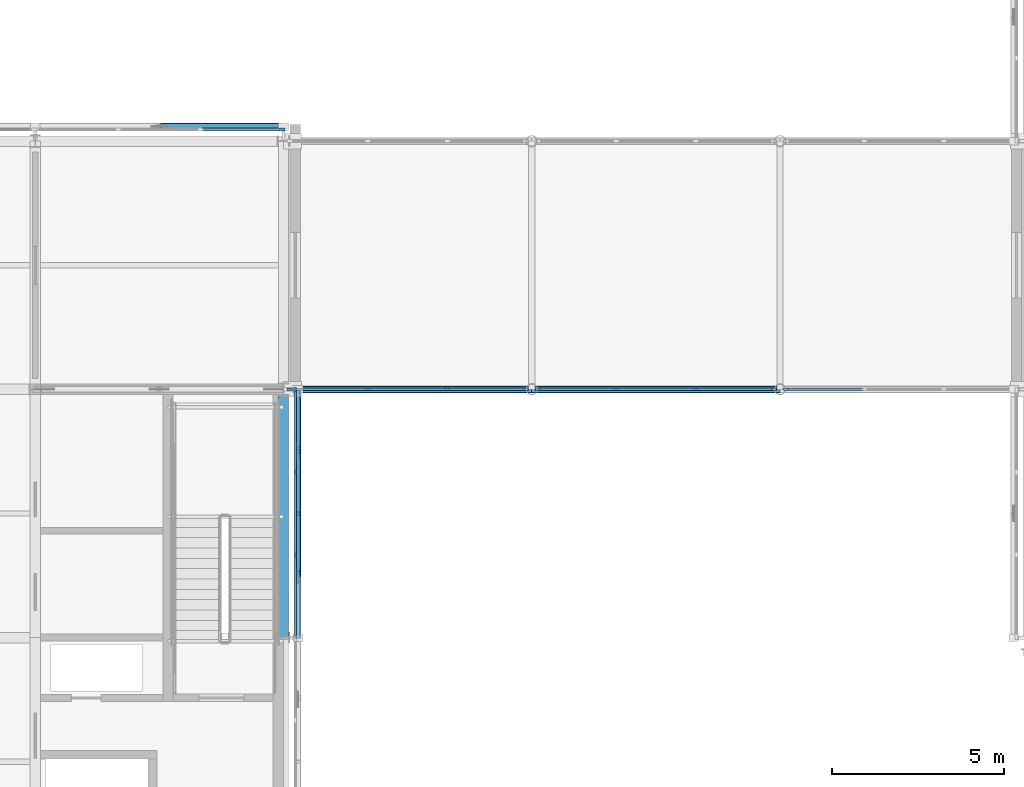
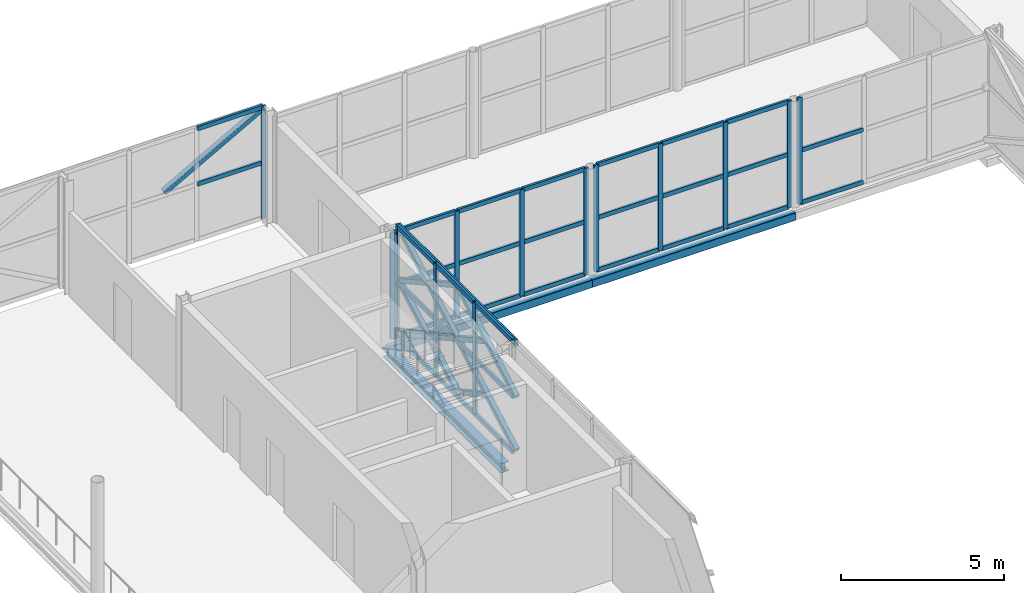
# One storey, part 37 of 126: 56 members, 3 beams, 5 elements without a shape of their own.
"""IFC4 building model written with IfcOpenShell, lengths in metres."""

import ifcopenshell
import ifcopenshell.guid

model = None  # the IFC model being written
_history = None  # IfcOwnerHistory: only IFC2X3 demands one
_inside = {}  # id of a spatial element -> (the spatial element, [elements in it])
_under = {}  # id of a project, library or spatial element -> (it, [spatial elements below it])
_declared = {}  # id of a project -> (the project, [libraries it declares])
_typed = {}  # id of a type object -> (the type object, [elements of that type])
_made_of = {}  # id of a material, layer set ... -> (it, [elements and type objects made of it])


def new_model(schema):
    """Start an empty IFC model of exactly this schema.

    Asked for "IFC4X3", IfcOpenShell would pick the latest addendum, in which some entities
    have other attributes; the version numbers below select the first issue.
    IFC2X3 requires an IfcOwnerHistory on every rooted entity: one is made here for all.
    """
    global model, _history
    if schema == "IFC4X3":
        model = ifcopenshell.file(schema_version=(4, 3, 0, 0))
    else:
        model = ifcopenshell.file(schema=schema)
    _inside.clear()
    _under.clear()
    _declared.clear()
    _typed.clear()
    _made_of.clear()
    _history = None
    if model.schema == "IFC2X3":
        org = make("IfcOrganization", Name="unknown")
        user = make(
            "IfcPersonAndOrganization",
            ThePerson=make("IfcPerson", FamilyName="unknown"),
            TheOrganization=org,
        )
        app = make(
            "IfcApplication",
            ApplicationDeveloper=org,
            Version="unknown",
            ApplicationFullName="unknown",
            ApplicationIdentifier="unknown",
        )
        _history = make(
            "IfcOwnerHistory",
            OwningUser=user,
            OwningApplication=app,
            ChangeAction="ADDED",
            CreationDate=0,
        )
    return model


def make(cls, **values):
    """One entity of the class cls with the attributes given. An attribute that is None is left unset."""
    return model.create_entity(
        cls, **{name: value for name, value in values.items() if value is not None}
    )


def rooted(cls, **values):
    """An entity with a GlobalId (a new one), such as an element, a storey or a relation."""
    return make(cls, GlobalId=ifcopenshell.guid.new(), OwnerHistory=_history, **values)


def si_unit(unit_type, name, prefix=None):
    """IfcSIUnit, for example si_unit("LENGTHUNIT", "METRE", prefix="MILLI")."""
    return make("IfcSIUnit", UnitType=unit_type, Prefix=prefix, Name=name)


def assignment(units):
    """IfcUnitAssignment: the units of a project."""
    return None if units is None else make("IfcUnitAssignment", Units=units)


def point(xyz):
    """IfcCartesianPoint."""
    return None if xyz is None else make("IfcCartesianPoint", Coordinates=xyz)


def direction(xyz):
    """IfcDirection."""
    return None if xyz is None else make("IfcDirection", DirectionRatios=xyz)


def frame(location, z_axis=None, x_axis=None):
    """IfcAxis2Placement3D, a coordinate frame: its origin and axes. An axis left out is left unset."""
    return make(
        "IfcAxis2Placement3D",
        Location=point(location),
        Axis=direction(z_axis),
        RefDirection=direction(x_axis),
    )


def frame_2d(location, x_axis=None):
    """IfcAxis2Placement2D, a coordinate frame in the plane: its origin and x axis."""
    return make(
        "IfcAxis2Placement2D", Location=point(location), RefDirection=direction(x_axis)
    )


def origin():
    """The frame at (0, 0, 0) with its axes left unset."""
    return frame((0.0, 0.0, 0.0))


def origin_2d():
    """The frame at (0, 0) in the plane with its x axis left unset."""
    return frame_2d((0.0, 0.0))


def place(relative_to, where):
    """IfcLocalPlacement: puts the frame where relative to a parent placement (None: the world)."""
    return make(
        "IfcLocalPlacement", PlacementRelTo=relative_to, RelativePlacement=where
    )


def context(
    kind, dimensions, precision=None, world=None, true_north=None, identifier=None
):
    """IfcGeometricRepresentationContext, for example the 3D "Model" context."""
    return make(
        "IfcGeometricRepresentationContext",
        ContextIdentifier=identifier,
        ContextType=kind,
        CoordinateSpaceDimension=dimensions,
        Precision=precision,
        WorldCoordinateSystem=world,
        TrueNorth=true_north,
    )


def subcontext(parent, identifier, kind, view, scale=None):
    """IfcGeometricRepresentationSubContext, for example "Body" below "Model"."""
    return make(
        "IfcGeometricRepresentationSubContext",
        ContextIdentifier=identifier,
        ContextType=kind,
        ParentContext=parent,
        TargetScale=scale,
        TargetView=view,
    )


def project(units=None, contexts=None):
    """IfcProject with its units and contexts."""
    return rooted(
        "IfcProject",
        Name="project",
        RepresentationContexts=contexts,
        UnitsInContext=assignment(units),
    )


def spatial(cls, under=None, at=None, **own):
    """A site, building, storey or space (cls), placed at a placement, below another one or the project."""
    s = rooted(cls, ObjectPlacement=at, **own)
    if under is not None:
        _under.setdefault(under.id(), (under, []))[1].append(s)
    return s


def profile(cls, at=None, kind="AREA", **sizes):
    """A parametric profile (cls). Its sizes go by their IFC names, for example OverallWidth=200.0."""
    return make(cls, ProfileType=kind, Position=at, **sizes)


def rectangle(**sizes):
    """IfcRectangleProfileDef."""
    return profile("IfcRectangleProfileDef", **sizes)


def hollow_rectangle(**sizes):
    """IfcRectangleHollowProfileDef."""
    return profile("IfcRectangleHollowProfileDef", **sizes)


def i_section(**sizes):
    """IfcIShapeProfileDef."""
    return profile("IfcIShapeProfileDef", **sizes)


def extrude(swept, where, along, depth):
    """IfcExtrudedAreaSolid: the profile swept, set in the frame where, extruded along a direction by depth."""
    return make(
        "IfcExtrudedAreaSolid",
        SweptArea=swept,
        Position=where,
        ExtrudedDirection=direction(along),
        Depth=depth,
    )


def shape(context_of_items, identifier, shape_type, items):
    """IfcShapeRepresentation: the items that make up one representation, for example the "Body"."""
    return make(
        "IfcShapeRepresentation",
        ContextOfItems=context_of_items,
        RepresentationIdentifier=identifier,
        RepresentationType=shape_type,
        Items=items,
    )


def material(Name=None, Category=None):
    """IfcMaterial."""
    return make("IfcMaterial", Name=Name, Category=Category)


def material_profile(
    of_material, cross_section, Name=None, Category=None, Priority=None
):
    """IfcMaterialProfile: a cross section and its material."""
    return make(
        "IfcMaterialProfile",
        Name=Name,
        Material=of_material,
        Profile=cross_section,
        Priority=Priority,
        Category=Category,
    )


def profile_set(profiles, Name=None, composite=None):
    """IfcMaterialProfileSet."""
    return make(
        "IfcMaterialProfileSet",
        Name=Name,
        MaterialProfiles=profiles,
        CompositeProfile=composite,
    )


def made_of(thing, what):
    """Note that an element or type object is made of a material, layer set ...; save() writes the relation."""
    if what is not None:
        _made_of.setdefault(what.id(), (what, []))[1].append(thing)
    return thing


def type_object(cls, material=None, **own):
    """A type object (cls), such as IfcWallType, which elements share."""
    return made_of(rooted(cls, **own), material)


def element(
    cls,
    number,
    at=None,
    inside=None,
    cuts=None,
    type_object=None,
    material=None,
    context=None,
    identifier="Body",
    shape_type=None,
    held_by="IfcProductDefinitionShape",
    body=None,
    shapes=None,
    **own,
):
    """One element of the class cls, such as IfcWall. Its Tag is "e" and its number.

    at: its placement. inside: the storey or other place that contains it. cuts: it is an
    opening in that element (IfcRelVoidsElement). A single representation is given by context,
    identifier, shape_type and body (its items); several are given by shapes. held_by: the class
    of the entity that holds the representations. save() writes the other relations.
    """
    e = rooted(cls, Tag="e%d" % number, ObjectPlacement=at, **own)
    if body is not None:
        shapes = [shape(context, identifier, shape_type, body)]
    if shapes is not None:
        e.Representation = make(held_by, Representations=shapes)
    if inside is not None:
        _inside.setdefault(inside.id(), (inside, []))[1].append(e)
    if cuts is not None:
        rooted(
            "IfcRelVoidsElement", RelatingBuildingElement=cuts, RelatedOpeningElement=e
        )
    if type_object is not None:
        _typed.setdefault(type_object.id(), (type_object, []))[1].append(e)
    return made_of(e, material)


def aggregate(whole, parts):
    """IfcRelAggregates: a whole, such as a stair, and the parts it consists of."""
    return rooted("IfcRelAggregates", RelatingObject=whole, RelatedObjects=parts)


def save(model, path):
    """Write the relations noted so far, then the file.

    IfcRelAggregates (storeys below a building ...), IfcRelContainedInSpatialStructure (elements
    in a storey), IfcRelDefinesByType, IfcRelAssociatesMaterial and IfcRelDeclares: one each for
    every whole, place, type object, material and project.
    """
    for whole, parts in _under.values():
        aggregate(whole, parts)
    for where, things in _inside.values():
        rooted(
            "IfcRelContainedInSpatialStructure",
            RelatedElements=things,
            RelatingStructure=where,
        )
    for kind, things in _typed.values():
        rooted("IfcRelDefinesByType", RelatedObjects=things, RelatingType=kind)
    for what, things in _made_of.values():
        rooted("IfcRelAssociatesMaterial", RelatedObjects=things, RelatingMaterial=what)
    for by, libraries in _declared.values():
        rooted("IfcRelDeclares", RelatingContext=by, RelatedDefinitions=libraries)
    model.write(path)


model = new_model("IFC4")

# Units and contexts
model_context = context("Model", 3, precision=1e-05, world=origin(), true_north=direction((0.0, 1.0)))
body_context = subcontext(model_context, "Body", "Model", "MODEL_VIEW")
ifc_project = project(units=[si_unit("LENGTHUNIT", "METRE"), si_unit("AREAUNIT", "SQUARE_METRE"), si_unit("VOLUMEUNIT", "CUBIC_METRE"), si_unit("PLANEANGLEUNIT", "RADIAN"), si_unit("MASSUNIT", "GRAM", prefix="KILO")], contexts=[model_context])

# Site, building, storey
site_placement = place(None, origin())
site = spatial("IfcSite", under=ifc_project, at=site_placement, CompositionType="ELEMENT")
building_placement = place(site_placement, origin())
building = spatial("IfcBuilding", under=site, at=building_placement, Name="Zlatovets Crest Museum", CompositionType="ELEMENT")
storey_placement = place(building_placement, frame((0.0, 0.0, 8.699951171875)))
storey = spatial("IfcBuildingStorey", under=building, at=storey_placement, Name="L02", CompositionType="ELEMENT", Elevation=8.699951171875)

# Beams
ifc_material_1 = material(Name="Structural steel S355J2", Category="steel")
ifc_material_profile_1 = material_profile(ifc_material_1, i_section(OverallWidth=0.300048828125, OverallDepth=0.35009765625, WebThickness=0.010009765625, FlangeThickness=0.017578125, FilletRadius=0.027099609375, at=origin_2d()), Name="HEA 360")
ifc_profile_set_1 = profile_set([ifc_material_profile_1], Name="Structural steel S355J2")
beam_type_1 = type_object("IfcBeamType", Name="Beam_B-03", PredefinedType="BEAM", material=ifc_profile_set_1)
beam_placement = place(storey_placement, frame((108.0, 14.39990234375, -0.39501953125), z_axis=(0.0, 1.0, 0.0), x_axis=(-1.0, 0.0, 0.0)))
element("IfcBeam", 1, at=beam_placement, inside=storey, type_object=beam_type_1, Name="V2 L02 Grid Beam B-03", PredefinedType="BEAM", context=body_context, shape_type="SweptSolid", body=[
    extrude(i_section(OverallWidth=0.300048828125, OverallDepth=0.35009765625, WebThickness=0.010009765625, FlangeThickness=0.017578125, FilletRadius=0.027099609375, at=origin_2d()), origin(), (0.0, 0.0, 1.0), 7.2001953125),
])
ifc_material_profile_2 = material_profile(ifc_material_1, hollow_rectangle(XDim=0.199951171875, YDim=0.300048828125, WallThickness=0.012451171875, InnerFilletRadius=0.012451171875, OuterFilletRadius=0.02490234375, at=origin_2d()), Name="RHS 200x300x12.5")
ifc_profile_set_2 = profile_set([ifc_material_profile_2], Name="Structural steel S355J2")
beam_type_2 = type_object("IfcBeamType", Name="Beam_BRG-01", PredefinedType="BEAM", material=ifc_profile_set_2)
for number, where, z_axis, x_axis, name in (
    (2, (108.0, 21.60009765625, -0.369873046875), (1.0, 0.0, 0.0), (0.0, 1.0, 0.0), "Southeast Archive Glazed Link Bridge L02 Stringer Beam"),
    (3, (115.199951171875, 21.60009765625, -0.369873046875), (1.0, 0.0, 0.0), (0.0, 1.0, 0.0), "Southeast Archive Glazed Link Bridge L02 Stringer Beam"),
):
    element("IfcBeam", number, at=place(storey_placement, frame(where, z_axis=z_axis, x_axis=x_axis)), inside=storey, type_object=beam_type_2, Name=name, PredefinedType="BEAM", context=body_context, shape_type="SweptSolid", body=[
        extrude(hollow_rectangle(XDim=0.199951171875, YDim=0.300048828125, WallThickness=0.012451171875, InnerFilletRadius=0.012451171875, OuterFilletRadius=0.02490234375, at=origin_2d()), origin(), (0.0, 0.0, 1.0), 7.199951171875),
    ])

# Curtain wall, members
ifc_material_2 = material(Name="Bronze-anodised aluminium and low-E triple glass", Category="aluminium")
curtain_wall_type_1 = type_object("IfcCurtainWallType", Name="CW_CW-V2-L02-M1", PredefinedType="NOTDEFINED", material=ifc_material_2)
curtain_wall_1_placement = place(storey_placement, origin())
curtain_wall_1 = element("IfcCurtainWall", 4, at=curtain_wall_1_placement, inside=storey, type_object=curtain_wall_type_1, Name="V2 L02 Expressed Core Glazed Facade", PredefinedType="NOTDEFINED")
ifc_material_3 = material(Name="Bronze-anodised aluminium EN AW-6060", Category="aluminium")
ifc_material_profile_3 = material_profile(ifc_material_3, rectangle(XDim=0.080078125, YDim=0.159912109375, at=origin_2d()), Name="ALU 80x160")
ifc_profile_set_3 = profile_set([ifc_material_profile_3], Name="Bronze-anodised aluminium EN AW-6060")
member_type_1 = type_object("IfcMemberType", Name="CWMull_M1", PredefinedType="MULLION", material=ifc_profile_set_3)
member_1_placement = place(storey_placement, frame((108.340087890625, 16.800048828125, 0.0), z_axis=(0.0, 0.0, 1.0), x_axis=(-1.0, 0.0, 0.0)))
member_1 = element("IfcMember", 5, at=member_1_placement, type_object=member_type_1, Name="CW-V2-L02-M1 mullion 2", PredefinedType="MULLION", context=body_context, shape_type="SweptSolid", body=[
    extrude(rectangle(XDim=0.080078125, YDim=0.159912109375, at=origin_2d()), origin(), (0.0, 0.0, 1.0), 4.199951171875),
])
member_2_placement = place(storey_placement, frame((108.340087890625, 19.199951171875, 0.0), z_axis=(0.0, 0.0, 1.0), x_axis=(-1.0, 0.0, 0.0)))
member_2 = element("IfcMember", 6, at=member_2_placement, type_object=member_type_1, Name="CW-V2-L02-M1 mullion 3", PredefinedType="MULLION", context=body_context, shape_type="SweptSolid", body=[
    extrude(rectangle(XDim=0.080078125, YDim=0.159912109375, at=origin_2d()), origin(), (0.0, 0.0, 1.0), 4.199951171875),
])
member_3_placement = place(storey_placement, frame((108.340087890625, 21.570068359375, 0.0), z_axis=(0.0, 0.0, 1.0), x_axis=(-1.0, 0.0, 0.0)))
member_3 = element("IfcMember", 7, at=member_3_placement, type_object=member_type_1, Name="CW-V2-L02-M1 mullion 4", PredefinedType="MULLION", context=body_context, shape_type="SweptSolid", body=[
    extrude(rectangle(XDim=0.080078125, YDim=0.159912109375, at=origin_2d()), origin(), (0.0, 0.0, 1.0), 4.199951171875),
])

# Curtain wall, member
curtain_wall_type_2 = type_object("IfcCurtainWallType", Name="CW_CW-V2-L02-M3", PredefinedType="NOTDEFINED", material=ifc_material_2)
curtain_wall_2_placement = place(storey_placement, origin())
curtain_wall_2 = element("IfcCurtainWall", 8, at=curtain_wall_2_placement, inside=storey, type_object=curtain_wall_type_2, Name="V2 L02 Secession Foyer Clear Curtain Wall", PredefinedType="NOTDEFINED")
member_4_placement = place(storey_placement, frame((107.969970703125, 29.139892578125, 0.0), z_axis=(0.0, 0.0, 1.0), x_axis=(0.0, -1.0, 0.0)))
member_4 = element("IfcMember", 9, at=member_4_placement, type_object=member_type_1, Name="CW-V2-L02-M3 mullion 1", PredefinedType="MULLION", context=body_context, shape_type="SweptSolid", body=[
    extrude(rectangle(XDim=0.080078125, YDim=0.159912109375, at=origin_2d()), origin(), (0.0, 0.0, 1.0), 4.199951171875),
])

# Curtain wall, members
curtain_wall_type_3 = type_object("IfcCurtainWallType", Name="CW_CW-BR4-L02-S69", PredefinedType="NOTDEFINED", material=ifc_material_2)
curtain_wall_3_placement = place(storey_placement, origin())
curtain_wall_3 = element("IfcCurtainWall", 10, at=curtain_wall_3_placement, inside=storey, type_object=curtain_wall_type_3, Name="Southeast Archive Glazed Link Bridge L02 Glazed Bridge Curtain Wall", PredefinedType="NOTDEFINED")
member_5_placement = place(storey_placement, frame((108.179931640625, 21.60009765625, 0.0), z_axis=(0.0, 0.0, 1.0), x_axis=(0.0, 1.0, 0.0)))
member_5 = element("IfcMember", 11, at=member_5_placement, type_object=member_type_1, Name="CW-BR4-L02-S69 mullion 1", PredefinedType="MULLION", context=body_context, shape_type="SweptSolid", body=[
    extrude(rectangle(XDim=0.080078125, YDim=0.159912109375, at=origin_2d()), origin(), (0.0, 0.0, 1.0), 3.97998046875),
])
member_6_placement = place(storey_placement, frame((110.449951171875, 21.60009765625, 0.0), z_axis=(0.0, 0.0, 1.0), x_axis=(0.0, 1.0, 0.0)))
member_6 = element("IfcMember", 12, at=member_6_placement, type_object=member_type_1, Name="CW-BR4-L02-S69 mullion 2", PredefinedType="MULLION", context=body_context, shape_type="SweptSolid", body=[
    extrude(rectangle(XDim=0.080078125, YDim=0.159912109375, at=origin_2d()), origin(), (0.0, 0.0, 1.0), 3.97998046875),
])
member_7_placement = place(storey_placement, frame((112.75, 21.60009765625, 0.0), z_axis=(0.0, 0.0, 1.0), x_axis=(0.0, 1.0, 0.0)))
member_7 = element("IfcMember", 13, at=member_7_placement, type_object=member_type_1, Name="CW-BR4-L02-S69 mullion 3", PredefinedType="MULLION", context=body_context, shape_type="SweptSolid", body=[
    extrude(rectangle(XDim=0.080078125, YDim=0.159912109375, at=origin_2d()), origin(), (0.0, 0.0, 1.0), 3.97998046875),
])
member_8_placement = place(storey_placement, frame((115.02001953125, 21.60009765625, 0.0), z_axis=(0.0, 0.0, 1.0), x_axis=(0.0, 1.0, 0.0)))
member_8 = element("IfcMember", 14, at=member_8_placement, type_object=member_type_1, Name="CW-BR4-L02-S69 mullion 4", PredefinedType="MULLION", context=body_context, shape_type="SweptSolid", body=[
    extrude(rectangle(XDim=0.080078125, YDim=0.159912109375, at=origin_2d()), origin(), (0.0, 0.0, 1.0), 3.97998046875),
])

curtain_wall_4_placement = place(storey_placement, origin())
curtain_wall_4 = element("IfcCurtainWall", 15, at=curtain_wall_4_placement, inside=storey, type_object=curtain_wall_type_3, Name="Southeast Archive Glazed Link Bridge L02 Glazed Bridge Curtain Wall", PredefinedType="NOTDEFINED")
member_9_placement = place(storey_placement, frame((115.3798828125, 21.60009765625, 0.0), z_axis=(0.0, 0.0, 1.0), x_axis=(0.0, 1.0, 0.0)))
member_9 = element("IfcMember", 16, at=member_9_placement, type_object=member_type_1, Name="CW-BR4-L02-S69 mullion 1", PredefinedType="MULLION", context=body_context, shape_type="SweptSolid", body=[
    extrude(rectangle(XDim=0.080078125, YDim=0.159912109375, at=origin_2d()), origin(), (0.0, 0.0, 1.0), 3.97998046875),
])
member_10_placement = place(storey_placement, frame((117.64990234375, 21.60009765625, 0.0), z_axis=(0.0, 0.0, 1.0), x_axis=(0.0, 1.0, 0.0)))
member_10 = element("IfcMember", 17, at=member_10_placement, type_object=member_type_1, Name="CW-BR4-L02-S69 mullion 2", PredefinedType="MULLION", context=body_context, shape_type="SweptSolid", body=[
    extrude(rectangle(XDim=0.080078125, YDim=0.159912109375, at=origin_2d()), origin(), (0.0, 0.0, 1.0), 3.97998046875),
])
member_11_placement = place(storey_placement, frame((119.949951171875, 21.60009765625, 0.0), z_axis=(0.0, 0.0, 1.0), x_axis=(0.0, 1.0, 0.0)))
member_11 = element("IfcMember", 18, at=member_11_placement, type_object=member_type_1, Name="CW-BR4-L02-S69 mullion 3", PredefinedType="MULLION", context=body_context, shape_type="SweptSolid", body=[
    extrude(rectangle(XDim=0.080078125, YDim=0.159912109375, at=origin_2d()), origin(), (0.0, 0.0, 1.0), 3.97998046875),
])
member_12_placement = place(storey_placement, frame((122.219970703125, 21.60009765625, 0.0), z_axis=(0.0, 0.0, 1.0), x_axis=(0.0, 1.0, 0.0)))
member_12 = element("IfcMember", 19, at=member_12_placement, type_object=member_type_1, Name="CW-BR4-L02-S69 mullion 4", PredefinedType="MULLION", context=body_context, shape_type="SweptSolid", body=[
    extrude(rectangle(XDim=0.080078125, YDim=0.159912109375, at=origin_2d()), origin(), (0.0, 0.0, 1.0), 3.97998046875),
])

# Curtain wall, member
curtain_wall_5_placement = place(storey_placement, origin())
curtain_wall_5 = element("IfcCurtainWall", 20, at=curtain_wall_5_placement, inside=storey, type_object=curtain_wall_type_3, Name="Southeast Archive Glazed Link Bridge L02 Glazed Bridge Curtain Wall", PredefinedType="NOTDEFINED")
member_13_placement = place(storey_placement, frame((122.580078125, 21.60009765625, 0.0), z_axis=(0.0, 0.0, 1.0), x_axis=(0.0, 1.0, 0.0)))
member_13 = element("IfcMember", 21, at=member_13_placement, type_object=member_type_1, Name="CW-BR4-L02-S69 mullion 1", PredefinedType="MULLION", context=body_context, shape_type="SweptSolid", body=[
    extrude(rectangle(XDim=0.080078125, YDim=0.159912109375, at=origin_2d()), origin(), (0.0, 0.0, 1.0), 3.97998046875),
])

# Member
ifc_material_profile_4 = material_profile(ifc_material_3, rectangle(XDim=0.080078125, YDim=0.159912109375, at=origin_2d()), Name="ALU 80x160")
ifc_profile_set_4 = profile_set([ifc_material_profile_4], Name="Bronze-anodised aluminium EN AW-6060")
member_type_2 = type_object("IfcMemberType", Name="CWTrans_T1", PredefinedType="USERDEFINED", material=ifc_profile_set_4)
member_14_placement = place(storey_placement, frame((108.340087890625, 14.4599609375, 0.030029296875), z_axis=(0.0, 1.0, 0.0), x_axis=(-1.0, 0.0, 0.0)))
member_14 = element("IfcMember", 22, at=member_14_placement, type_object=member_type_2, Name="CW-V2-L02-M1 transom 1.1", ObjectType="TRANSOM", PredefinedType="USERDEFINED", context=body_context, shape_type="SweptSolid", body=[
    extrude(rectangle(XDim=0.080078125, YDim=0.159912109375, at=origin_2d()), origin(), (0.0, 0.0, 1.0), 2.31005859375),
])

member_15_placement = place(storey_placement, frame((108.340087890625, 14.4599609375, 2.10009765625), z_axis=(0.0, 1.0, 0.0), x_axis=(-1.0, 0.0, 0.0)))
member_15 = element("IfcMember", 23, at=member_15_placement, type_object=member_type_2, Name="CW-V2-L02-M1 transom 1.2", ObjectType="TRANSOM", PredefinedType="USERDEFINED", context=body_context, shape_type="SweptSolid", body=[
    extrude(rectangle(XDim=0.080078125, YDim=0.159912109375, at=origin_2d()), origin(), (0.0, 0.0, 1.0), 2.31005859375),
])

member_16_placement = place(storey_placement, frame((108.340087890625, 14.4599609375, 4.170166015625), z_axis=(0.0, 1.0, 0.0), x_axis=(-1.0, 0.0, 0.0)))
member_16 = element("IfcMember", 24, at=member_16_placement, type_object=member_type_2, Name="CW-V2-L02-M1 transom 1.3", ObjectType="TRANSOM", PredefinedType="USERDEFINED", context=body_context, shape_type="SweptSolid", body=[
    extrude(rectangle(XDim=0.080078125, YDim=0.159912109375, at=origin_2d()), origin(), (0.0, 0.0, 1.0), 2.31005859375),
])

member_17_placement = place(storey_placement, frame((108.340087890625, 16.830078125, 0.030029296875), z_axis=(0.0, 1.0, 0.0), x_axis=(-1.0, 0.0, 0.0)))
member_17 = element("IfcMember", 25, at=member_17_placement, type_object=member_type_2, Name="CW-V2-L02-M1 transom 2.1", ObjectType="TRANSOM", PredefinedType="USERDEFINED", context=body_context, shape_type="SweptSolid", body=[
    extrude(rectangle(XDim=0.080078125, YDim=0.159912109375, at=origin_2d()), origin(), (0.0, 0.0, 1.0), 2.33984375),
])

member_18_placement = place(storey_placement, frame((108.340087890625, 16.830078125, 2.10009765625), z_axis=(0.0, 1.0, 0.0), x_axis=(-1.0, 0.0, 0.0)))
member_18 = element("IfcMember", 26, at=member_18_placement, type_object=member_type_2, Name="CW-V2-L02-M1 transom 2.2", ObjectType="TRANSOM", PredefinedType="USERDEFINED", context=body_context, shape_type="SweptSolid", body=[
    extrude(rectangle(XDim=0.080078125, YDim=0.159912109375, at=origin_2d()), origin(), (0.0, 0.0, 1.0), 2.33984375),
])

member_19_placement = place(storey_placement, frame((108.340087890625, 16.830078125, 4.170166015625), z_axis=(0.0, 1.0, 0.0), x_axis=(-1.0, 0.0, 0.0)))
member_19 = element("IfcMember", 27, at=member_19_placement, type_object=member_type_2, Name="CW-V2-L02-M1 transom 2.3", ObjectType="TRANSOM", PredefinedType="USERDEFINED", context=body_context, shape_type="SweptSolid", body=[
    extrude(rectangle(XDim=0.080078125, YDim=0.159912109375, at=origin_2d()), origin(), (0.0, 0.0, 1.0), 2.33984375),
])

member_20_placement = place(storey_placement, frame((108.340087890625, 19.22998046875, 0.030029296875), z_axis=(0.0, 1.0, 0.0), x_axis=(-1.0, 0.0, 0.0)))
member_20 = element("IfcMember", 28, at=member_20_placement, type_object=member_type_2, Name="CW-V2-L02-M1 transom 3.1", ObjectType="TRANSOM", PredefinedType="USERDEFINED", context=body_context, shape_type="SweptSolid", body=[
    extrude(rectangle(XDim=0.080078125, YDim=0.159912109375, at=origin_2d()), origin(), (0.0, 0.0, 1.0), 2.31005859375),
])

member_21_placement = place(storey_placement, frame((108.340087890625, 19.22998046875, 2.10009765625), z_axis=(0.0, 1.0, 0.0), x_axis=(-1.0, 0.0, 0.0)))
member_21 = element("IfcMember", 29, at=member_21_placement, type_object=member_type_2, Name="CW-V2-L02-M1 transom 3.2", ObjectType="TRANSOM", PredefinedType="USERDEFINED", context=body_context, shape_type="SweptSolid", body=[
    extrude(rectangle(XDim=0.080078125, YDim=0.159912109375, at=origin_2d()), origin(), (0.0, 0.0, 1.0), 2.31005859375),
])

member_22_placement = place(storey_placement, frame((108.340087890625, 19.22998046875, 4.170166015625), z_axis=(0.0, 1.0, 0.0), x_axis=(-1.0, 0.0, 0.0)))
member_22 = element("IfcMember", 30, at=member_22_placement, type_object=member_type_2, Name="CW-V2-L02-M1 transom 3.3", ObjectType="TRANSOM", PredefinedType="USERDEFINED", context=body_context, shape_type="SweptSolid", body=[
    extrude(rectangle(XDim=0.080078125, YDim=0.159912109375, at=origin_2d()), origin(), (0.0, 0.0, 1.0), 2.31005859375),
])

aggregate(curtain_wall_1, [member_1, member_2, member_3, member_14, member_15, member_16, member_17, member_18, member_19, member_20, member_21, member_22])

member_23_placement = place(storey_placement, frame((107.93994140625, 29.139892578125, 2.10009765625), z_axis=(-1.0, 0.0, 0.0), x_axis=(0.0, -1.0, 0.0)))
member_23 = element("IfcMember", 31, at=member_23_placement, type_object=member_type_2, Name="CW-V2-L02-M3 transom 1.2", ObjectType="TRANSOM", PredefinedType="USERDEFINED", context=body_context, shape_type="SweptSolid", body=[
    extrude(rectangle(XDim=0.080078125, YDim=0.159912109375, at=origin_2d()), origin(), (0.0, 0.0, 1.0), 2.31005859375),
])

member_24_placement = place(storey_placement, frame((107.93994140625, 29.139892578125, 4.170166015625), z_axis=(-1.0, 0.0, 0.0), x_axis=(0.0, -1.0, 0.0)))
member_24 = element("IfcMember", 32, at=member_24_placement, type_object=member_type_2, Name="CW-V2-L02-M3 transom 1.3", ObjectType="TRANSOM", PredefinedType="USERDEFINED", context=body_context, shape_type="SweptSolid", body=[
    extrude(rectangle(XDim=0.080078125, YDim=0.159912109375, at=origin_2d()), origin(), (0.0, 0.0, 1.0), 2.31005859375),
])

aggregate(curtain_wall_2, [member_4, member_23, member_24])

member_25_placement = place(storey_placement, frame((108.2099609375, 21.60009765625, 0.030029296875), z_axis=(1.0, 0.0, 0.0), x_axis=(0.0, 1.0, 0.0)))
member_25 = element("IfcMember", 33, at=member_25_placement, type_object=member_type_2, Name="CW-BR4-L02-S69 transom 1.1", ObjectType="TRANSOM", PredefinedType="USERDEFINED", context=body_context, shape_type="SweptSolid", body=[
    extrude(rectangle(XDim=0.080078125, YDim=0.159912109375, at=origin_2d()), origin(), (0.0, 0.0, 1.0), 2.2099609375),
])

member_26_placement = place(storey_placement, frame((108.2099609375, 21.60009765625, 1.989990234375), z_axis=(1.0, 0.0, 0.0), x_axis=(0.0, 1.0, 0.0)))
member_26 = element("IfcMember", 34, at=member_26_placement, type_object=member_type_2, Name="CW-BR4-L02-S69 transom 1.2", ObjectType="TRANSOM", PredefinedType="USERDEFINED", context=body_context, shape_type="SweptSolid", body=[
    extrude(rectangle(XDim=0.080078125, YDim=0.159912109375, at=origin_2d()), origin(), (0.0, 0.0, 1.0), 2.2099609375),
])

member_27_placement = place(storey_placement, frame((108.2099609375, 21.60009765625, 3.949951171875), z_axis=(1.0, 0.0, 0.0), x_axis=(0.0, 1.0, 0.0)))
member_27 = element("IfcMember", 35, at=member_27_placement, type_object=member_type_2, Name="CW-BR4-L02-S69 transom 1.3", ObjectType="TRANSOM", PredefinedType="USERDEFINED", context=body_context, shape_type="SweptSolid", body=[
    extrude(rectangle(XDim=0.080078125, YDim=0.159912109375, at=origin_2d()), origin(), (0.0, 0.0, 1.0), 2.2099609375),
])

member_28_placement = place(storey_placement, frame((110.47998046875, 21.60009765625, 0.030029296875), z_axis=(1.0, 0.0, 0.0), x_axis=(0.0, 1.0, 0.0)))
member_28 = element("IfcMember", 36, at=member_28_placement, type_object=member_type_2, Name="CW-BR4-L02-S69 transom 2.1", ObjectType="TRANSOM", PredefinedType="USERDEFINED", context=body_context, shape_type="SweptSolid", body=[
    extrude(rectangle(XDim=0.080078125, YDim=0.159912109375, at=origin_2d()), origin(), (0.0, 0.0, 1.0), 2.239990234375),
])

member_29_placement = place(storey_placement, frame((110.47998046875, 21.60009765625, 1.989990234375), z_axis=(1.0, 0.0, 0.0), x_axis=(0.0, 1.0, 0.0)))
member_29 = element("IfcMember", 37, at=member_29_placement, type_object=member_type_2, Name="CW-BR4-L02-S69 transom 2.2", ObjectType="TRANSOM", PredefinedType="USERDEFINED", context=body_context, shape_type="SweptSolid", body=[
    extrude(rectangle(XDim=0.080078125, YDim=0.159912109375, at=origin_2d()), origin(), (0.0, 0.0, 1.0), 2.239990234375),
])

member_30_placement = place(storey_placement, frame((110.47998046875, 21.60009765625, 3.949951171875), z_axis=(1.0, 0.0, 0.0), x_axis=(0.0, 1.0, 0.0)))
member_30 = element("IfcMember", 38, at=member_30_placement, type_object=member_type_2, Name="CW-BR4-L02-S69 transom 2.3", ObjectType="TRANSOM", PredefinedType="USERDEFINED", context=body_context, shape_type="SweptSolid", body=[
    extrude(rectangle(XDim=0.080078125, YDim=0.159912109375, at=origin_2d()), origin(), (0.0, 0.0, 1.0), 2.239990234375),
])

member_31_placement = place(storey_placement, frame((112.780029296875, 21.60009765625, 0.030029296875), z_axis=(1.0, 0.0, 0.0), x_axis=(0.0, 1.0, 0.0)))
member_31 = element("IfcMember", 39, at=member_31_placement, type_object=member_type_2, Name="CW-BR4-L02-S69 transom 3.1", ObjectType="TRANSOM", PredefinedType="USERDEFINED", context=body_context, shape_type="SweptSolid", body=[
    extrude(rectangle(XDim=0.080078125, YDim=0.159912109375, at=origin_2d()), origin(), (0.0, 0.0, 1.0), 2.2099609375),
])

member_32_placement = place(storey_placement, frame((112.780029296875, 21.60009765625, 1.989990234375), z_axis=(1.0, 0.0, 0.0), x_axis=(0.0, 1.0, 0.0)))
member_32 = element("IfcMember", 40, at=member_32_placement, type_object=member_type_2, Name="CW-BR4-L02-S69 transom 3.2", ObjectType="TRANSOM", PredefinedType="USERDEFINED", context=body_context, shape_type="SweptSolid", body=[
    extrude(rectangle(XDim=0.080078125, YDim=0.159912109375, at=origin_2d()), origin(), (0.0, 0.0, 1.0), 2.2099609375),
])

member_33_placement = place(storey_placement, frame((112.780029296875, 21.60009765625, 3.949951171875), z_axis=(1.0, 0.0, 0.0), x_axis=(0.0, 1.0, 0.0)))
member_33 = element("IfcMember", 41, at=member_33_placement, type_object=member_type_2, Name="CW-BR4-L02-S69 transom 3.3", ObjectType="TRANSOM", PredefinedType="USERDEFINED", context=body_context, shape_type="SweptSolid", body=[
    extrude(rectangle(XDim=0.080078125, YDim=0.159912109375, at=origin_2d()), origin(), (0.0, 0.0, 1.0), 2.2099609375),
])

aggregate(curtain_wall_3, [member_5, member_6, member_7, member_8, member_25, member_26, member_27, member_28, member_29, member_30, member_31, member_32, member_33])

member_34_placement = place(storey_placement, frame((115.409912109375, 21.60009765625, 0.030029296875), z_axis=(1.0, 0.0, 0.0), x_axis=(0.0, 1.0, 0.0)))
member_34 = element("IfcMember", 42, at=member_34_placement, type_object=member_type_2, Name="CW-BR4-L02-S69 transom 1.1", ObjectType="TRANSOM", PredefinedType="USERDEFINED", context=body_context, shape_type="SweptSolid", body=[
    extrude(rectangle(XDim=0.080078125, YDim=0.159912109375, at=origin_2d()), origin(), (0.0, 0.0, 1.0), 2.210205078125),
])

member_35_placement = place(storey_placement, frame((115.409912109375, 21.60009765625, 1.989990234375), z_axis=(1.0, 0.0, 0.0), x_axis=(0.0, 1.0, 0.0)))
member_35 = element("IfcMember", 43, at=member_35_placement, type_object=member_type_2, Name="CW-BR4-L02-S69 transom 1.2", ObjectType="TRANSOM", PredefinedType="USERDEFINED", context=body_context, shape_type="SweptSolid", body=[
    extrude(rectangle(XDim=0.080078125, YDim=0.159912109375, at=origin_2d()), origin(), (0.0, 0.0, 1.0), 2.210205078125),
])

member_36_placement = place(storey_placement, frame((115.409912109375, 21.60009765625, 3.949951171875), z_axis=(1.0, 0.0, 0.0), x_axis=(0.0, 1.0, 0.0)))
member_36 = element("IfcMember", 44, at=member_36_placement, type_object=member_type_2, Name="CW-BR4-L02-S69 transom 1.3", ObjectType="TRANSOM", PredefinedType="USERDEFINED", context=body_context, shape_type="SweptSolid", body=[
    extrude(rectangle(XDim=0.080078125, YDim=0.159912109375, at=origin_2d()), origin(), (0.0, 0.0, 1.0), 2.210205078125),
])

member_37_placement = place(storey_placement, frame((117.679931640625, 21.60009765625, 0.030029296875), z_axis=(1.0, 0.0, 0.0), x_axis=(0.0, 1.0, 0.0)))
member_37 = element("IfcMember", 45, at=member_37_placement, type_object=member_type_2, Name="CW-BR4-L02-S69 transom 2.1", ObjectType="TRANSOM", PredefinedType="USERDEFINED", context=body_context, shape_type="SweptSolid", body=[
    extrude(rectangle(XDim=0.080078125, YDim=0.159912109375, at=origin_2d()), origin(), (0.0, 0.0, 1.0), 2.239990234375),
])

member_38_placement = place(storey_placement, frame((117.679931640625, 21.60009765625, 1.989990234375), z_axis=(1.0, 0.0, 0.0), x_axis=(0.0, 1.0, 0.0)))
member_38 = element("IfcMember", 46, at=member_38_placement, type_object=member_type_2, Name="CW-BR4-L02-S69 transom 2.2", ObjectType="TRANSOM", PredefinedType="USERDEFINED", context=body_context, shape_type="SweptSolid", body=[
    extrude(rectangle(XDim=0.080078125, YDim=0.159912109375, at=origin_2d()), origin(), (0.0, 0.0, 1.0), 2.239990234375),
])

member_39_placement = place(storey_placement, frame((117.679931640625, 21.60009765625, 3.949951171875), z_axis=(1.0, 0.0, 0.0), x_axis=(0.0, 1.0, 0.0)))
member_39 = element("IfcMember", 47, at=member_39_placement, type_object=member_type_2, Name="CW-BR4-L02-S69 transom 2.3", ObjectType="TRANSOM", PredefinedType="USERDEFINED", context=body_context, shape_type="SweptSolid", body=[
    extrude(rectangle(XDim=0.080078125, YDim=0.159912109375, at=origin_2d()), origin(), (0.0, 0.0, 1.0), 2.239990234375),
])

member_40_placement = place(storey_placement, frame((119.97998046875, 21.60009765625, 0.030029296875), z_axis=(1.0, 0.0, 0.0), x_axis=(0.0, 1.0, 0.0)))
member_40 = element("IfcMember", 48, at=member_40_placement, type_object=member_type_2, Name="CW-BR4-L02-S69 transom 3.1", ObjectType="TRANSOM", PredefinedType="USERDEFINED", context=body_context, shape_type="SweptSolid", body=[
    extrude(rectangle(XDim=0.080078125, YDim=0.159912109375, at=origin_2d()), origin(), (0.0, 0.0, 1.0), 2.2099609375),
])

member_41_placement = place(storey_placement, frame((119.97998046875, 21.60009765625, 1.989990234375), z_axis=(1.0, 0.0, 0.0), x_axis=(0.0, 1.0, 0.0)))
member_41 = element("IfcMember", 49, at=member_41_placement, type_object=member_type_2, Name="CW-BR4-L02-S69 transom 3.2", ObjectType="TRANSOM", PredefinedType="USERDEFINED", context=body_context, shape_type="SweptSolid", body=[
    extrude(rectangle(XDim=0.080078125, YDim=0.159912109375, at=origin_2d()), origin(), (0.0, 0.0, 1.0), 2.2099609375),
])

member_42_placement = place(storey_placement, frame((119.97998046875, 21.60009765625, 3.949951171875), z_axis=(1.0, 0.0, 0.0), x_axis=(0.0, 1.0, 0.0)))
member_42 = element("IfcMember", 50, at=member_42_placement, type_object=member_type_2, Name="CW-BR4-L02-S69 transom 3.3", ObjectType="TRANSOM", PredefinedType="USERDEFINED", context=body_context, shape_type="SweptSolid", body=[
    extrude(rectangle(XDim=0.080078125, YDim=0.159912109375, at=origin_2d()), origin(), (0.0, 0.0, 1.0), 2.2099609375),
])

aggregate(curtain_wall_4, [member_9, member_10, member_11, member_12, member_34, member_35, member_36, member_37, member_38, member_39, member_40, member_41, member_42])

member_43_placement = place(storey_placement, frame((122.610107421875, 21.60009765625, 0.030029296875), z_axis=(1.0, 0.0, 0.0), x_axis=(0.0, 1.0, 0.0)))
member_43 = element("IfcMember", 51, at=member_43_placement, type_object=member_type_2, Name="CW-BR4-L02-S69 transom 1.1", ObjectType="TRANSOM", PredefinedType="USERDEFINED", context=body_context, shape_type="SweptSolid", body=[
    extrude(rectangle(XDim=0.080078125, YDim=0.159912109375, at=origin_2d()), origin(), (0.0, 0.0, 1.0), 2.2099609375),
])

member_44_placement = place(storey_placement, frame((122.610107421875, 21.60009765625, 1.989990234375), z_axis=(1.0, 0.0, 0.0), x_axis=(0.0, 1.0, 0.0)))
member_44 = element("IfcMember", 52, at=member_44_placement, type_object=member_type_2, Name="CW-BR4-L02-S69 transom 1.2", ObjectType="TRANSOM", PredefinedType="USERDEFINED", context=body_context, shape_type="SweptSolid", body=[
    extrude(rectangle(XDim=0.080078125, YDim=0.159912109375, at=origin_2d()), origin(), (0.0, 0.0, 1.0), 2.2099609375),
])

aggregate(curtain_wall_5, [member_13, member_43, member_44])

# Members
ifc_material_4 = material(Name="Weathering bronze-steel S355J2W", Category="steel")
ifc_material_profile_5 = material_profile(ifc_material_4, hollow_rectangle(XDim=0.179931640625, YDim=0.179931640625, WallThickness=0.010009765625, InnerFilletRadius=0.010009765625, OuterFilletRadius=0.02001953125, at=origin_2d()), Name="SHS 180x180x10.0")
ifc_profile_set_5 = profile_set([ifc_material_profile_5], Name="Weathering bronze-steel S355J2W")
member_type_3 = type_object("IfcMemberType", Name="Lattice_XL-01", PredefinedType="BRACE", material=ifc_profile_set_5)
member_45_placement = place(storey_placement, frame((108.419921875, 14.39990234375, 0.10009765625), z_axis=(0.0, 0.874162868644, 0.485632864501), x_axis=(-1.0, 0.0, 0.0)))
element("IfcMember", 53, at=member_45_placement, inside=storey, type_object=member_type_3, Name="Continuous Bronze Lattice Diagonal", PredefinedType="BRACE", context=body_context, shape_type="SweptSolid", body=[
    extrude(hollow_rectangle(XDim=0.179931640625, YDim=0.179931640625, WallThickness=0.010009765625, InnerFilletRadius=0.010009765625, OuterFilletRadius=0.02001953125, at=origin_2d()), origin(), (0.0, 0.0, 1.0), 4.118408203125),
])
member_46_placement = place(storey_placement, frame((108.419921875, 16.282958984375, 1.053955078125), z_axis=(0.0, 0.874169001841, -0.485621824284), x_axis=(-1.0, 0.0, 0.0)))
element("IfcMember", 54, at=member_46_placement, inside=storey, type_object=member_type_3, Name="Split Crossing Bronze Lattice Diagonal Lower", PredefinedType="BRACE", context=body_context, shape_type="SweptSolid", body=[
    extrude(hollow_rectangle(XDim=0.179931640625, YDim=0.179931640625, WallThickness=0.010009765625, InnerFilletRadius=0.010009765625, OuterFilletRadius=0.02001953125, at=origin_2d()), origin(), (0.0, 0.0, 1.0), 1.964111328125),
])
member_47_placement = place(storey_placement, frame((108.419921875, 18.0, 0.10009765625), z_axis=(0.0, 0.874162868644, 0.485632864501), x_axis=(-1.0, 0.0, 0.0)))
element("IfcMember", 55, at=member_47_placement, inside=storey, type_object=member_type_3, Name="Continuous Bronze Lattice Diagonal", PredefinedType="BRACE", context=body_context, shape_type="SweptSolid", body=[
    extrude(hollow_rectangle(XDim=0.179931640625, YDim=0.179931640625, WallThickness=0.010009765625, InnerFilletRadius=0.010009765625, OuterFilletRadius=0.02001953125, at=origin_2d()), origin(), (0.0, 0.0, 1.0), 4.118408203125),
])
for number, where, z_axis, x_axis, name in (
    (56, (108.419921875, 18.0, 2.10009765625), (0.0, 0.874169001841, -0.485621824284), (-1.0, 0.0, 0.0), "Split Crossing Bronze Lattice Diagonal Upper"),
    (57, (108.419921875, 19.883056640625, 1.053955078125), (0.0, 0.874169001841, -0.485621824284), (-1.0, 0.0, 0.0), "Split Crossing Bronze Lattice Diagonal Lower"),
):
    element("IfcMember", number, at=place(storey_placement, frame(where, z_axis=z_axis, x_axis=x_axis)), inside=storey, type_object=member_type_3, Name=name, PredefinedType="BRACE", context=body_context, shape_type="SweptSolid", body=[
        extrude(hollow_rectangle(XDim=0.179931640625, YDim=0.179931640625, WallThickness=0.010009765625, InnerFilletRadius=0.010009765625, OuterFilletRadius=0.02001953125, at=origin_2d()), origin(), (0.0, 0.0, 1.0), 1.964111328125),
    ])
member_48_placement = place(storey_placement, frame((108.419921875, 14.39990234375, 2.10009765625), z_axis=(0.0, 0.874162868644, 0.485632864501), x_axis=(-1.0, 0.0, 0.0)))
element("IfcMember", 58, at=member_48_placement, inside=storey, type_object=member_type_3, Name="Continuous Bronze Lattice Diagonal", PredefinedType="BRACE", context=body_context, shape_type="SweptSolid", body=[
    extrude(hollow_rectangle(XDim=0.179931640625, YDim=0.179931640625, WallThickness=0.010009765625, InnerFilletRadius=0.010009765625, OuterFilletRadius=0.02001953125, at=origin_2d()), origin(), (0.0, 0.0, 1.0), 4.118408203125),
])
member_49_placement = place(storey_placement, frame((108.419921875, 16.282958984375, 3.053955078125), z_axis=(0.0, 0.874169001841, -0.485621824284), x_axis=(-1.0, 0.0, 0.0)))
element("IfcMember", 59, at=member_49_placement, inside=storey, type_object=member_type_3, Name="Split Crossing Bronze Lattice Diagonal Lower", PredefinedType="BRACE", context=body_context, shape_type="SweptSolid", body=[
    extrude(hollow_rectangle(XDim=0.179931640625, YDim=0.179931640625, WallThickness=0.010009765625, InnerFilletRadius=0.010009765625, OuterFilletRadius=0.02001953125, at=origin_2d()), origin(), (0.0, 0.0, 1.0), 1.964111328125),
])
member_50_placement = place(storey_placement, frame((108.419921875, 18.0, 2.10009765625), z_axis=(0.0, 0.874162868644, 0.485632864501), x_axis=(-1.0, 0.0, 0.0)))
element("IfcMember", 60, at=member_50_placement, inside=storey, type_object=member_type_3, Name="Continuous Bronze Lattice Diagonal", PredefinedType="BRACE", context=body_context, shape_type="SweptSolid", body=[
    extrude(hollow_rectangle(XDim=0.179931640625, YDim=0.179931640625, WallThickness=0.010009765625, InnerFilletRadius=0.010009765625, OuterFilletRadius=0.02001953125, at=origin_2d()), origin(), (0.0, 0.0, 1.0), 4.118408203125),
])
for number, where, z_axis, x_axis, name in (
    (61, (108.419921875, 18.0, 4.10009765625), (0.0, 0.874169001841, -0.485621824284), (-1.0, 0.0, 0.0), "Split Crossing Bronze Lattice Diagonal Upper"),
    (62, (108.419921875, 19.883056640625, 3.053955078125), (0.0, 0.874169001841, -0.485621824284), (-1.0, 0.0, 0.0), "Split Crossing Bronze Lattice Diagonal Lower"),
):
    element("IfcMember", number, at=place(storey_placement, frame(where, z_axis=z_axis, x_axis=x_axis)), inside=storey, type_object=member_type_3, Name=name, PredefinedType="BRACE", context=body_context, shape_type="SweptSolid", body=[
        extrude(hollow_rectangle(XDim=0.179931640625, YDim=0.179931640625, WallThickness=0.010009765625, InnerFilletRadius=0.010009765625, OuterFilletRadius=0.02001953125, at=origin_2d()), origin(), (0.0, 0.0, 1.0), 1.964111328125),
    ])
ifc_material_profile_6 = material_profile(ifc_material_4, hollow_rectangle(XDim=0.199951171875, YDim=0.199951171875, WallThickness=0.012451171875, InnerFilletRadius=0.012451171875, OuterFilletRadius=0.02490234375, at=origin_2d()), Name="SHS 200x200x12.5")
ifc_profile_set_6 = profile_set([ifc_material_profile_6], Name="Weathering bronze-steel S355J2W")
member_type_4 = type_object("IfcMemberType", Name="Lattice_XL-02", PredefinedType="BRACE", material=ifc_profile_set_6)
member_51_placement = place(storey_placement, frame((108.0, 29.219970703125, 4.10009765625), z_axis=(-0.874165862873, 0.0, -0.485627474703), x_axis=(0.0, -1.0, 0.0)))
element("IfcMember", 63, at=member_51_placement, inside=storey, type_object=member_type_4, Name="Split Crossing Bronze Lattice Diagonal Upper", PredefinedType="BRACE", context=body_context, shape_type="SweptSolid", body=[
    extrude(hollow_rectangle(XDim=0.199951171875, YDim=0.199951171875, WallThickness=0.012451171875, InnerFilletRadius=0.012451171875, OuterFilletRadius=0.02490234375, at=origin_2d()), origin(), (0.0, 0.0, 1.0), 4.0234375),
])
ifc_material_profile_7 = material_profile(ifc_material_4, hollow_rectangle(XDim=0.1201171875, YDim=0.239990234375, WallThickness=0.010009765625, InnerFilletRadius=0.010009765625, OuterFilletRadius=0.02001953125, at=origin_2d()), Name="RHS 120x240x10.0")
ifc_profile_set_7 = profile_set([ifc_material_profile_7], Name="Weathering bronze-steel S355J2W")
member_type_5 = type_object("IfcMemberType", Name="Lattice_XL-04", PredefinedType="CHORD", material=ifc_profile_set_7)
member_52_placement = place(storey_placement, frame((108.419921875, 14.39990234375, 4.10009765625), z_axis=(0.0, 1.0, 0.0), x_axis=(-1.0, 0.0, 0.0)))
element("IfcMember", 64, at=member_52_placement, inside=storey, type_object=member_type_5, Name="Art Nouveau Woven Cage Collector Ring Chord", PredefinedType="CHORD", context=body_context, shape_type="SweptSolid", body=[
    extrude(hollow_rectangle(XDim=0.1201171875, YDim=0.239990234375, WallThickness=0.010009765625, InnerFilletRadius=0.010009765625, OuterFilletRadius=0.02001953125, at=origin_2d()), origin(), (0.0, 0.0, 1.0), 7.2001953125),
])

save(model, "model.ifc")
